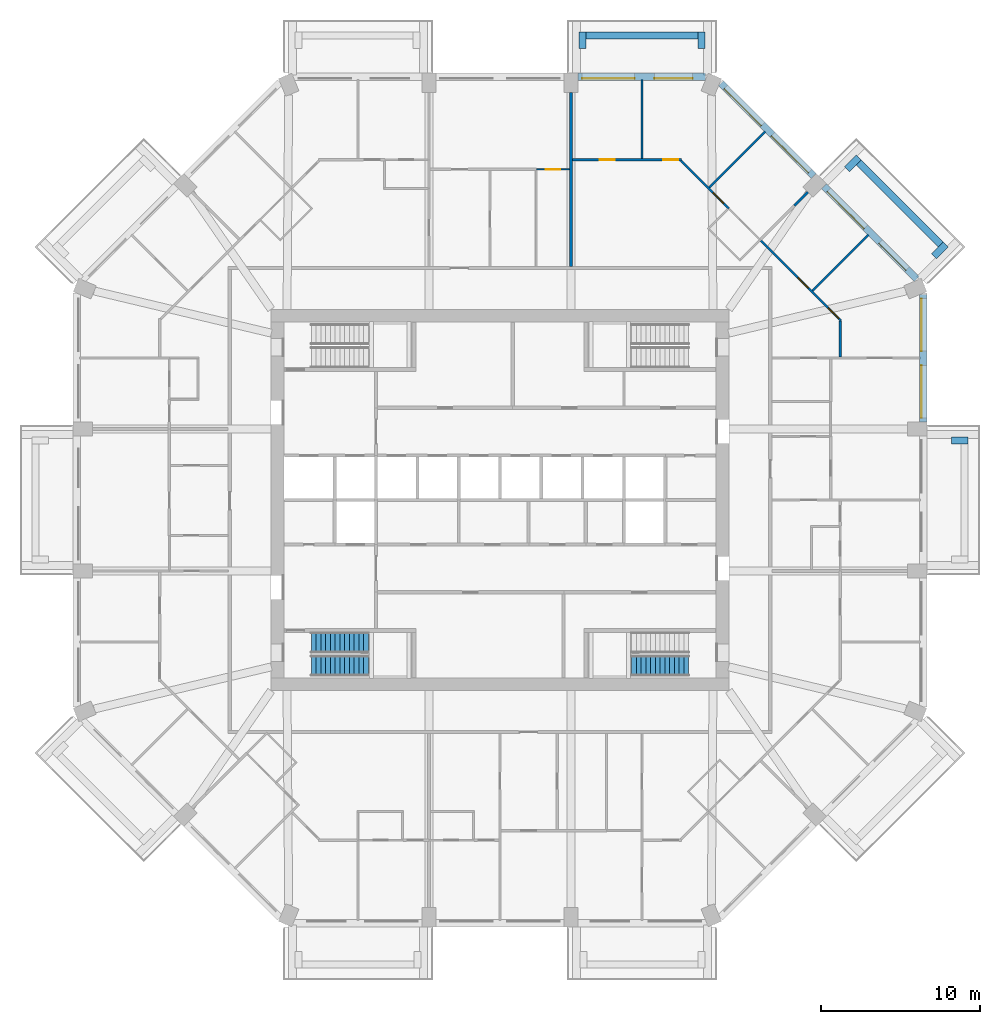
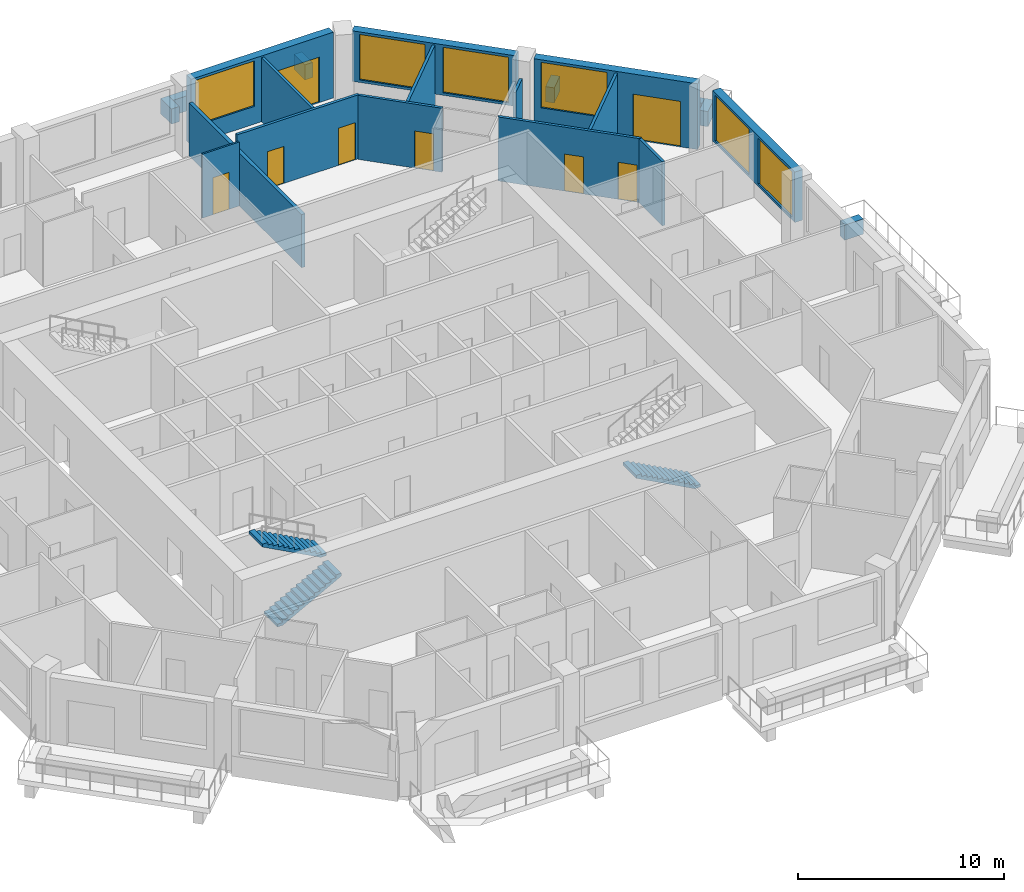
# One storey, part 10 of 13: 21 walls, 8 doors, 6 windows, 3 stair flights, 14 openings, 2 elements without a shape of their own.
"""IFC4 building model written with IfcOpenShell, lengths in metres."""

from ifc_helpers import new_model, si_unit, direction, frame, frame_2d, origin, place, context, subcontext, project, spatial, polyline, rectangle, outline, extrude, material, layer, layer_set, type_object, element, fill, aggregate, save


model = new_model("IFC4")

# Units and contexts
model_context = context("Model", 3, precision=1e-05, world=origin(), true_north=direction((0.0, 1.0)))
body_context = subcontext(model_context, "Body", "Model", "MODEL_VIEW")
ifc_project = project(units=[si_unit("LENGTHUNIT", "METRE"), si_unit("AREAUNIT", "SQUARE_METRE"), si_unit("VOLUMEUNIT", "CUBIC_METRE"), si_unit("PLANEANGLEUNIT", "RADIAN"), si_unit("MASSUNIT", "GRAM", prefix="KILO")], contexts=[model_context])

# Site, building, storey
site_placement = place(None, origin())
site = spatial("IfcSite", under=ifc_project, at=site_placement, CompositionType="ELEMENT")
building_placement = place(site_placement, origin())
building = spatial("IfcBuilding", under=site, at=building_placement, Name="Msitu Wima Residences", CompositionType="ELEMENT")
storey_placement = place(building_placement, frame((0.0, 0.0, 148.5)))
storey = spatial("IfcBuildingStorey", under=building, at=storey_placement, Name="L34", CompositionType="ELEMENT", Elevation=148.5)

# Walls
ifc_material_1 = material(Name="Facing brick")
ifc_layer_1 = layer(ifc_material_1, 0.06494140625, Name="Facing brick")
ifc_material_2 = material(Name="Concrete C40/50", Category="concrete")
ifc_layer_2 = layer(ifc_material_2, 0.156005859375, Name="Concrete C40/50")
ifc_material_3 = material(Name="Waterproofing membrane")
ifc_layer_3 = layer(ifc_material_3, 0.00390625, Name="Waterproofing membrane")
ifc_material_4 = material(Name="Planting soil and planting")
ifc_layer_4 = layer(ifc_material_4, 0.22509765625, Name="Planting soil and planting")
ifc_layer_set_1 = layer_set([ifc_layer_1, ifc_layer_2, ifc_layer_3, ifc_layer_4], Name="Concrete C40/50")
wall_type_1 = type_object("IfcWallType", Name="Balcony planter PLANTER PL450", PredefinedType="USERDEFINED", material=ifc_layer_set_1)
wall_1_placement = place(storey_placement, frame((28.39990234375, 3.74365234375, 0.0), z_axis=(0.0, 0.0, 1.0), x_axis=(1.0, 0.0, 0.0)))
element("IfcWall", 1, at=wall_1_placement, inside=storey, type_object=wall_type_1, Name="Balcony planter E1 L34", ObjectType="PLANTER", PredefinedType="USERDEFINED", context=body_context, shape_type="SweptSolid", body=[
    extrude(rectangle(XDim=1.050048828125, YDim=0.449951171875, at=frame_2d((0.52490234375, 0.0))), origin(), (0.0, 0.0, 1.0), 0.89990234375),
])
wall_2_placement = place(storey_placement, frame((27.725830078125, 16.0751953125, 0.0), z_axis=(0.0, 0.0, 1.0), x_axis=(-0.707106781187, 0.707106781187, 0.0)))
element("IfcWall", 2, at=wall_2_placement, inside=storey, type_object=wall_type_1, Name="Balcony planter NE0 L34", ObjectType="PLANTER", PredefinedType="USERDEFINED", context=body_context, shape_type="SweptSolid", body=[
    extrude(rectangle(XDim=7.288330078125, YDim=0.449951171875, at=frame_2d((3.64404296875, 0.0))), origin(), (0.0, 0.0, 1.0), 0.89990234375),
])
for number, where, z_axis, x_axis, name in (
    (3, (27.301513671875, 15.332763671875, 0.0), (0.0, 0.0, 1.0), (0.707106781187, 0.707106781187, 0.0), "Balcony planter NE0 L34"),
    (4, (21.829833984375, 20.804443359375, 0.0), (0.0, 0.0, 1.0), (0.707106781187, 0.707106781187, 0.0), "Balcony planter NE0 L34"),
):
    element("IfcWall", number, at=place(storey_placement, frame(where, z_axis=z_axis, x_axis=x_axis)), inside=storey, type_object=wall_type_1, Name=name, ObjectType="PLANTER", PredefinedType="USERDEFINED", context=body_context, shape_type="SweptSolid", body=[
        extrude(rectangle(XDim=1.050048828125, YDim=0.449951171875, at=frame_2d((0.52490234375, 0.0))), origin(), (0.0, 0.0, 1.0), 0.89990234375),
    ])
wall_3_placement = place(storey_placement, frame((12.455810546875, 29.22509765625, 0.0), z_axis=(0.0, 0.0, 1.0), x_axis=(-1.0, 0.0, 0.0)))
element("IfcWall", 5, at=wall_3_placement, inside=storey, type_object=wall_type_1, Name="Balcony planter N0 L34", ObjectType="PLANTER", PredefinedType="USERDEFINED", context=body_context, shape_type="SweptSolid", body=[
    extrude(rectangle(XDim=7.037109375, YDim=0.449951171875, at=frame_2d((3.5185546875, 0.0))), origin(), (0.0, 0.0, 1.0), 0.89990234375),
])
for number, where, z_axis, x_axis, name in (
    (6, (12.680908203125, 28.39990234375, 0.0), (0.0, 0.0, 1.0), (0.0, 1.0, 0.0), "Balcony planter N0 L34"),
    (7, (5.193603515625, 28.39990234375, 0.0), (0.0, 0.0, 1.0), (0.0, 1.0, 0.0), "Balcony planter N0 L34"),
):
    element("IfcWall", number, at=place(storey_placement, frame(where, z_axis=z_axis, x_axis=x_axis)), inside=storey, type_object=wall_type_1, Name=name, ObjectType="PLANTER", PredefinedType="USERDEFINED", context=body_context, shape_type="SweptSolid", body=[
        extrude(rectangle(XDim=1.050048828125, YDim=0.449951171875, at=frame_2d((0.52490234375, 0.0))), origin(), (0.0, 0.0, 1.0), 0.89990234375),
    ])

# Wall, openings, windows
ifc_material_5 = material(Name="Brick (red buff mix)", Category="masonry")
ifc_layer_5 = layer(ifc_material_5, 0.449951171875)
ifc_layer_set_2 = layer_set([ifc_layer_5], Name="Brick (red buff mix)")
wall_type_2 = type_object("IfcWallType", Name="Brick infill wall BW450", PredefinedType="SOLIDWALL", material=ifc_layer_set_2)
wall_4_placement = place(storey_placement, frame((26.625, 4.918701171875, 0.89990234375), z_axis=(0.0, 0.0, 1.0), x_axis=(0.0, 1.0, 0.0)))
wall_4 = element("IfcWall", 8, at=wall_4_placement, inside=storey, type_object=wall_type_2, Name="Brick infill wall L34 E2", PredefinedType="SOLIDWALL", context=body_context, shape_type="SweptSolid", body=[
    extrude(rectangle(XDim=8.0, YDim=0.449951171875, at=frame_2d((4.0, 0.0))), origin(), (0.0, 0.0, 1.0), 3.0),
])
opening_1_placement = place(wall_4_placement, frame((0.25, 0.0, 0.14990234375)))
opening_1 = element("IfcOpeningElement", 9, at=opening_1_placement, cuts=wall_4, Name="Opening W34-35.004", PredefinedType="OPENING", context=body_context, shape_type="SweptSolid", body=[
    extrude(rectangle(XDim=3.300048828125, YDim=2.699951171875, at=frame_2d((1.64990234375, 1.35009765625))), frame((0.0, 0.23486328125, 0.0), z_axis=(0.0, -1.0, 0.0), x_axis=(1.0, 0.0, 0.0)), (0.0, 0.0, 1.0), 0.469970703125),
])
opening_2_placement = place(wall_4_placement, frame((4.4501953125, 0.0, 0.14990234375)))
opening_2 = element("IfcOpeningElement", 10, at=opening_2_placement, cuts=wall_4, Name="Opening W34-35.005", PredefinedType="OPENING", context=body_context, shape_type="SweptSolid", body=[
    extrude(rectangle(XDim=3.300048828125, YDim=2.699951171875, at=frame_2d((1.64990234375, 1.35009765625))), frame((0.0, 0.23486328125, 0.0), z_axis=(0.0, -1.0, 0.0), x_axis=(1.0, 0.0, 0.0)), (0.0, 0.0, 1.0), 0.469970703125),
])
ifc_material_6 = material(Name="Anodised aluminium, bronze finish, clear low-emissivity double glazing", Category="aluminium")
window_type = type_object("IfcWindowType", Name="Window W3300x2700", PartitioningType="DOUBLE_PANEL_VERTICAL", PredefinedType="WINDOW", material=ifc_material_6)
window_1_placement = place(opening_1_placement, origin())
window_1 = element("IfcWindow", 11, at=window_1_placement, inside=storey, type_object=window_type, Name="Window L34 E2.1", OverallHeight=2.699951171875, OverallWidth=3.300048828125, PartitioningType="SINGLE_PANEL", PredefinedType="WINDOW", context=body_context, shape_type="SweptSolid", body=[
    extrude(rectangle(XDim=3.300048828125, YDim=2.699951171875, at=frame_2d((1.64990234375, 1.35009765625))), frame((0.0, 0.135009765625, 0.0), z_axis=(0.0, -1.0, 0.0), x_axis=(1.0, 0.0, 0.0)), (0.0, 0.0, 1.0), 0.06005859375),
])
fill(opening_1, window_1)
window_2_placement = place(opening_2_placement, origin())
window_2 = element("IfcWindow", 12, at=window_2_placement, inside=storey, type_object=window_type, Name="Window L34 E2.2", OverallHeight=2.699951171875, OverallWidth=3.300048828125, PartitioningType="SINGLE_PANEL", PredefinedType="WINDOW", context=body_context, shape_type="SweptSolid", body=[
    extrude(rectangle(XDim=3.300048828125, YDim=2.699951171875, at=frame_2d((1.64990234375, 1.35009765625))), frame((0.0, 0.135009765625, 0.0), z_axis=(0.0, -1.0, 0.0), x_axis=(1.0, 0.0, 0.0)), (0.0, 0.0, 1.0), 0.06005859375),
])
fill(opening_2, window_2)

# Wall, openings, door, window
wall_5_placement = place(storey_placement, frame((26.214599609375, 13.909423828125, 0.0), z_axis=(0.0, 0.0, 1.0), x_axis=(-0.707106781187, 0.707106781187, 0.0)))
wall_5 = element("IfcWall", 13, at=wall_5_placement, inside=storey, type_object=wall_type_2, Name="Brick infill wall L34 NE0", PredefinedType="SOLIDWALL", context=body_context, shape_type="SweptSolid", body=[
    extrude(rectangle(XDim=8.251220703125, YDim=0.449951171875, at=frame_2d((4.12548828125, 0.0))), origin(), (0.0, 0.0, 1.0), 3.89990234375),
])
opening_3_placement = place(wall_5_placement, frame((0.86279296875, 0.0, 0.0)))
opening_3 = element("IfcOpeningElement", 14, at=opening_3_placement, cuts=wall_5, Name="Opening D34-35.004", PredefinedType="OPENING", context=body_context, shape_type="SweptSolid", body=[
    extrude(rectangle(XDim=2.39990234375, YDim=2.699951171875, at=frame_2d((1.199951171875, 1.35009765625))), frame((0.0, 0.23486328125, 0.0), z_axis=(0.0, -1.0, 0.0), x_axis=(1.0, 0.0, 0.0)), (0.0, 0.0, 1.0), 0.469970703125),
])
opening_4_placement = place(wall_5_placement, frame((4.57568359375, 0.0, 1.050048828125)))
opening_4 = element("IfcOpeningElement", 15, at=opening_4_placement, cuts=wall_5, Name="Opening W34-35.010", PredefinedType="OPENING", context=body_context, shape_type="SweptSolid", body=[
    extrude(rectangle(XDim=3.300048828125, YDim=2.699951171875, at=frame_2d((1.64990234375, 1.35009765625))), frame((0.0, 0.23486328125, 0.0), z_axis=(0.0, -1.0, 0.0), x_axis=(1.0, 0.0, 0.0)), (0.0, 0.0, 1.0), 0.469970703125),
])
door_type_1 = type_object("IfcDoorType", Name="Balcony door D2400x2700", OperationType="SLIDING_TO_LEFT", PredefinedType="DOOR", material=ifc_material_6)
door_1_placement = place(opening_3_placement, origin())
door_1 = element("IfcDoor", 16, at=door_1_placement, inside=storey, type_object=door_type_1, Name="Balcony door L34 NE0", OperationType="SINGLE_SWING_LEFT", OverallHeight=2.699951171875, OverallWidth=2.39990234375, PredefinedType="DOOR", context=body_context, shape_type="SweptSolid", body=[
    extrude(rectangle(XDim=2.39990234375, YDim=2.699951171875, at=frame_2d((1.199951171875, 1.35009765625))), frame((0.0, 0.1298828125, 0.0), z_axis=(0.0, -1.0, 0.0), x_axis=(1.0, 0.0, 0.0)), (0.0, 0.0, 1.0), 0.050048828125),
])
fill(opening_3, door_1)
window_3_placement = place(opening_4_placement, origin())
window_3 = element("IfcWindow", 17, at=window_3_placement, inside=storey, type_object=window_type, Name="Window L34 NE0.2", OverallHeight=2.699951171875, OverallWidth=3.300048828125, PartitioningType="SINGLE_PANEL", PredefinedType="WINDOW", context=body_context, shape_type="SweptSolid", body=[
    extrude(rectangle(XDim=3.300048828125, YDim=2.699951171875, at=frame_2d((1.64990234375, 1.35009765625))), frame((0.0, 0.135009765625, 0.0), z_axis=(0.0, -1.0, 0.0), x_axis=(1.0, 0.0, 0.0)), (0.0, 0.0, 1.0), 0.06005859375),
])
fill(opening_4, window_3)

# Wall, openings, windows
wall_6_placement = place(storey_placement, frame((19.743896484375, 20.380126953125, 0.89990234375), z_axis=(0.0, 0.0, 1.0), x_axis=(-0.707106781187, 0.707106781187, 0.0)))
wall_6 = element("IfcWall", 18, at=wall_6_placement, inside=storey, type_object=wall_type_2, Name="Brick infill wall L34 NE1", PredefinedType="SOLIDWALL", context=body_context, shape_type="SweptSolid", body=[
    extrude(rectangle(XDim=8.251220703125, YDim=0.449951171875, at=frame_2d((4.12548828125, 0.0))), origin(), (0.0, 0.0, 1.0), 3.0),
])
opening_5_placement = place(wall_6_placement, frame((0.37548828125, 0.0, 0.14990234375)))
opening_5 = element("IfcOpeningElement", 19, at=opening_5_placement, cuts=wall_6, Name="Opening W34-35.011", PredefinedType="OPENING", context=body_context, shape_type="SweptSolid", body=[
    extrude(rectangle(XDim=3.300048828125, YDim=2.699951171875, at=frame_2d((1.64990234375, 1.35009765625))), frame((0.0, 0.23486328125, 0.0), z_axis=(0.0, -1.0, 0.0), x_axis=(1.0, 0.0, 0.0)), (0.0, 0.0, 1.0), 0.469970703125),
])
opening_6_placement = place(wall_6_placement, frame((4.57568359375, 0.0, 0.14990234375)))
opening_6 = element("IfcOpeningElement", 20, at=opening_6_placement, cuts=wall_6, Name="Opening W34-35.012", PredefinedType="OPENING", context=body_context, shape_type="SweptSolid", body=[
    extrude(rectangle(XDim=3.300048828125, YDim=2.699951171875, at=frame_2d((1.64990234375, 1.35009765625))), frame((0.0, 0.23486328125, 0.0), z_axis=(0.0, -1.0, 0.0), x_axis=(1.0, 0.0, 0.0)), (0.0, 0.0, 1.0), 0.469970703125),
])
window_4_placement = place(opening_5_placement, origin())
window_4 = element("IfcWindow", 21, at=window_4_placement, inside=storey, type_object=window_type, Name="Window L34 NE1.1", OverallHeight=2.699951171875, OverallWidth=3.300048828125, PartitioningType="SINGLE_PANEL", PredefinedType="WINDOW", context=body_context, shape_type="SweptSolid", body=[
    extrude(rectangle(XDim=3.300048828125, YDim=2.699951171875, at=frame_2d((1.64990234375, 1.35009765625))), frame((0.0, 0.135009765625, 0.0), z_axis=(0.0, -1.0, 0.0), x_axis=(1.0, 0.0, 0.0)), (0.0, 0.0, 1.0), 0.06005859375),
])
fill(opening_5, window_4)
window_5_placement = place(opening_6_placement, origin())
window_5 = element("IfcWindow", 22, at=window_5_placement, inside=storey, type_object=window_type, Name="Window L34 NE1.2", OverallHeight=2.699951171875, OverallWidth=3.300048828125, PartitioningType="SINGLE_PANEL", PredefinedType="WINDOW", context=body_context, shape_type="SweptSolid", body=[
    extrude(rectangle(XDim=3.300048828125, YDim=2.699951171875, at=frame_2d((1.64990234375, 1.35009765625))), frame((0.0, 0.135009765625, 0.0), z_axis=(0.0, -1.0, 0.0), x_axis=(1.0, 0.0, 0.0)), (0.0, 0.0, 1.0), 0.06005859375),
])
fill(opening_6, window_5)

# Wall, openings, door, window
wall_7_placement = place(storey_placement, frame((12.918701171875, 26.625, 0.0), z_axis=(0.0, 0.0, 1.0), x_axis=(-1.0, 0.0, 0.0)))
wall_7 = element("IfcWall", 23, at=wall_7_placement, inside=storey, type_object=wall_type_2, Name="Brick infill wall L34 N0", PredefinedType="SOLIDWALL", context=body_context, shape_type="SweptSolid", body=[
    extrude(rectangle(XDim=8.0, YDim=0.449951171875, at=frame_2d((4.0, 0.0))), origin(), (0.0, 0.0, 1.0), 3.89990234375),
])
opening_7_placement = place(wall_7_placement, frame((0.800048828125, 0.0, 0.0)))
opening_7 = element("IfcOpeningElement", 24, at=opening_7_placement, cuts=wall_7, Name="Opening D34-35.002", PredefinedType="OPENING", context=body_context, shape_type="SweptSolid", body=[
    extrude(rectangle(XDim=2.39990234375, YDim=2.699951171875, at=frame_2d((1.199951171875, 1.35009765625))), frame((0.0, 0.23486328125, 0.0), z_axis=(0.0, -1.0, 0.0), x_axis=(1.0, 0.0, 0.0)), (0.0, 0.0, 1.0), 0.469970703125),
])
opening_8_placement = place(wall_7_placement, frame((4.4501953125, 0.0, 1.050048828125)))
opening_8 = element("IfcOpeningElement", 25, at=opening_8_placement, cuts=wall_7, Name="Opening W34-35.006", PredefinedType="OPENING", context=body_context, shape_type="SweptSolid", body=[
    extrude(rectangle(XDim=3.300048828125, YDim=2.699951171875, at=frame_2d((1.64990234375, 1.35009765625))), frame((0.0, 0.23486328125, 0.0), z_axis=(0.0, -1.0, 0.0), x_axis=(1.0, 0.0, 0.0)), (0.0, 0.0, 1.0), 0.469970703125),
])
door_2_placement = place(opening_7_placement, origin())
door_2 = element("IfcDoor", 26, at=door_2_placement, inside=storey, type_object=door_type_1, Name="Balcony door L34 N0", OperationType="SINGLE_SWING_LEFT", OverallHeight=2.699951171875, OverallWidth=2.39990234375, PredefinedType="DOOR", context=body_context, shape_type="SweptSolid", body=[
    extrude(rectangle(XDim=2.39990234375, YDim=2.699951171875, at=frame_2d((1.199951171875, 1.35009765625))), frame((0.0, 0.1298828125, 0.0), z_axis=(0.0, -1.0, 0.0), x_axis=(1.0, 0.0, 0.0)), (0.0, 0.0, 1.0), 0.050048828125),
])
fill(opening_7, door_2)
window_6_placement = place(opening_8_placement, origin())
window_6 = element("IfcWindow", 27, at=window_6_placement, inside=storey, type_object=window_type, Name="Window L34 N0.2", OverallHeight=2.699951171875, OverallWidth=3.300048828125, PartitioningType="SINGLE_PANEL", PredefinedType="WINDOW", context=body_context, shape_type="SweptSolid", body=[
    extrude(rectangle(XDim=3.300048828125, YDim=2.699951171875, at=frame_2d((1.64990234375, 1.35009765625))), frame((0.0, 0.135009765625, 0.0), z_axis=(0.0, -1.0, 0.0), x_axis=(1.0, 0.0, 0.0)), (0.0, 0.0, 1.0), 0.06005859375),
])
fill(opening_8, window_6)

# Wall, openings, doors
ifc_material_7 = material(Name="Plaster")
ifc_layer_6 = layer(ifc_material_7, 0.011962890625, Name="Plaster")
ifc_material_8 = material(Name="Concrete blockwork", Category="masonry")
ifc_layer_7 = layer(ifc_material_8, 0.1259765625, Name="Concrete blockwork")
ifc_layer_8 = layer(ifc_material_7, 0.011962890625, Name="Plaster")
ifc_layer_set_3 = layer_set([ifc_layer_6, ifc_layer_7, ifc_layer_8], Name="Concrete blockwork")
wall_type_3 = type_object("IfcWallType", Name="Partition PW150", PredefinedType="PARTITIONING", material=ifc_layer_set_3)
wall_8_placement = place(storey_placement, frame((4.568603515625, 21.39990234375, 0.0), z_axis=(0.0, 0.0, 1.0), x_axis=(1.0, 0.0, 0.0)))
wall_8 = element("IfcWall", 28, at=wall_8_placement, inside=storey, type_object=wall_type_3, Name="Partition", PredefinedType="PARTITIONING", context=body_context, shape_type="SweptSolid", body=[
    extrude(rectangle(XDim=6.84130859375, YDim=0.14990234375, at=frame_2d((3.420654296875, 0.0))), origin(), (0.0, 0.0, 1.0), 3.798095703125),
])
opening_9_placement = place(wall_8_placement, frame((1.699951171875, 0.0, 0.0)))
opening_9 = element("IfcOpeningElement", 29, at=opening_9_placement, cuts=wall_8, Name="Opening D34-35.088", PredefinedType="OPENING", context=body_context, shape_type="SweptSolid", body=[
    extrude(rectangle(XDim=0.949951171875, YDim=2.199951171875, at=frame_2d((0.47509765625, 1.10009765625))), frame((0.0, 0.0849609375, 0.0), z_axis=(0.0, -1.0, 0.0), x_axis=(1.0, 0.0, 0.0)), (0.0, 0.0, 1.0), 0.169921875),
])
opening_10_placement = place(wall_8_placement, frame((5.699951171875, 0.0, 0.0)))
opening_10 = element("IfcOpeningElement", 30, at=opening_10_placement, cuts=wall_8, Name="Opening D34-35.043", PredefinedType="OPENING", context=body_context, shape_type="SweptSolid", body=[
    extrude(rectangle(XDim=0.949951171875, YDim=2.199951171875, at=frame_2d((0.47509765625, 1.10009765625))), frame((0.0, 0.0849609375, 0.0), z_axis=(0.0, -1.0, 0.0), x_axis=(1.0, 0.0, 0.0)), (0.0, 0.0, 1.0), 0.169921875),
])
ifc_material_9 = material(Name="Timber flush door", Category="wood")
door_type_2 = type_object("IfcDoorType", Name="Room door D12 950x2200", OperationType="SINGLE_SWING_LEFT", PredefinedType="DOOR", material=ifc_material_9)
door_3_placement = place(opening_9_placement, origin())
door_3 = element("IfcDoor", 31, at=door_3_placement, inside=storey, type_object=door_type_2, Name="Room door", OperationType="SINGLE_SWING_RIGHT", OverallHeight=2.199951171875, OverallWidth=0.949951171875, PredefinedType="DOOR", context=body_context, shape_type="SweptSolid", body=[
    extrude(rectangle(XDim=0.949951171875, YDim=2.199951171875, at=frame_2d((0.47509765625, 1.10009765625))), frame((0.0, 0.02490234375, 0.0), z_axis=(0.0, -1.0, 0.0), x_axis=(1.0, 0.0, 0.0)), (0.0, 0.0, 1.0), 0.050048828125),
])
fill(opening_9, door_3)
door_4_placement = place(opening_10_placement, origin())
door_4 = element("IfcDoor", 32, at=door_4_placement, inside=storey, type_object=door_type_2, Name="Room door", OperationType="SINGLE_SWING_LEFT", OverallHeight=2.199951171875, OverallWidth=0.949951171875, PredefinedType="DOOR", context=body_context, shape_type="SweptSolid", body=[
    extrude(rectangle(XDim=0.949951171875, YDim=2.199951171875, at=frame_2d((0.47509765625, 1.10009765625))), frame((0.0, 0.02490234375, 0.0), z_axis=(0.0, -1.0, 0.0), x_axis=(1.0, 0.0, 0.0)), (0.0, 0.0, 1.0), 0.050048828125),
])
fill(opening_10, door_4)

# Wall
wall_9_placement = place(storey_placement, frame((8.937255859375, 21.47509765625, 0.0), z_axis=(0.0, 0.0, 1.0), x_axis=(0.0, 1.0, 0.0)))
element("IfcWall", 33, at=wall_9_placement, inside=storey, type_object=wall_type_3, Name="Partition", PredefinedType="PARTITIONING", context=body_context, shape_type="SweptSolid", body=[
    extrude(rectangle(XDim=4.97998046875, YDim=0.14990234375, at=frame_2d((2.489990234375, 0.0))), origin(), (0.0, 0.0, 1.0), 3.798095703125),
])

# Wall, opening, door
wall_10_placement = place(storey_placement, frame((11.387939453125, 21.346923828125, 0.0), z_axis=(0.0, 0.0, 1.0), x_axis=(0.707106781187, -0.707106781187, 0.0)))
wall_10 = element("IfcWall", 34, at=wall_10_placement, inside=storey, type_object=wall_type_3, Name="Partition", PredefinedType="PARTITIONING", context=body_context, shape_type="SweptSolid", body=[
    extrude(rectangle(XDim=4.241943359375, YDim=0.14990234375, at=frame_2d((2.12109375, 0.0))), origin(), (0.0, 0.0, 1.0), 3.798095703125),
])
opening_11_placement = place(wall_10_placement, frame((2.85009765625, 0.0, 0.0)))
opening_11 = element("IfcOpeningElement", 35, at=opening_11_placement, cuts=wall_10, Name="Opening D34-35.089", PredefinedType="OPENING", context=body_context, shape_type="SweptSolid", body=[
    extrude(rectangle(XDim=0.949951171875, YDim=2.199951171875, at=frame_2d((0.47509765625, 1.10009765625))), frame((0.0, 0.0849609375, 0.0), z_axis=(0.0, -1.0, 0.0), x_axis=(1.0, 0.0, 0.0)), (0.0, 0.0, 1.0), 0.169921875),
])
door_5_placement = place(opening_11_placement, origin())
door_5 = element("IfcDoor", 36, at=door_5_placement, inside=storey, type_object=door_type_2, Name="Room door", OperationType="SINGLE_SWING_LEFT", OverallHeight=2.199951171875, OverallWidth=0.949951171875, PredefinedType="DOOR", context=body_context, shape_type="SweptSolid", body=[
    extrude(rectangle(XDim=0.949951171875, YDim=2.199951171875, at=frame_2d((0.47509765625, 1.10009765625))), frame((0.0, 0.02490234375, 0.0), z_axis=(0.0, -1.0, 0.0), x_axis=(1.0, 0.0, 0.0)), (0.0, 0.0, 1.0), 0.050048828125),
])
fill(opening_11, door_5)

# Walls
wall_11_placement = place(storey_placement, frame((13.171875, 19.6689453125, 0.0), z_axis=(0.0, 0.0, 1.0), x_axis=(0.707106781187, 0.707106781187, 0.0)))
element("IfcWall", 37, at=wall_11_placement, inside=storey, type_object=wall_type_3, Name="Partition", PredefinedType="PARTITIONING", context=body_context, shape_type="SweptSolid", body=[
    extrude(rectangle(XDim=4.980224609375, YDim=0.14990234375, at=frame_2d((2.490234375, 0.0))), origin(), (0.0, 0.0, 1.0), 3.798095703125),
])
wall_12_placement = place(storey_placement, frame((18.517578125, 18.517578125, 0.0), z_axis=(0.0, 0.0, 1.0), x_axis=(0.707106781187, 0.707106781187, 0.0)))
element("IfcWall", 38, at=wall_12_placement, inside=storey, type_object=wall_type_3, Name="Partition", PredefinedType="PARTITIONING", context=body_context, shape_type="SweptSolid", body=[
    extrude(rectangle(XDim=1.209228515625, YDim=0.14990234375, at=frame_2d((0.6044921875, 0.0))), origin(), (0.0, 0.0, 1.0), 3.14990234375),
])

# Wall, openings, doors
wall_13_placement = place(storey_placement, frame((16.367431640625, 16.367431640625, 0.0), z_axis=(0.0, 0.0, 1.0), x_axis=(0.707106781187, -0.707106781187, 0.0)))
wall_13 = element("IfcWall", 39, at=wall_13_placement, inside=storey, type_object=wall_type_3, Name="Partition", PredefinedType="PARTITIONING", context=body_context, shape_type="SweptSolid", body=[
    extrude(rectangle(XDim=7.192138671875, YDim=0.14990234375, at=frame_2d((3.59619140625, 0.0))), origin(), (0.0, 0.0, 1.0), 3.798095703125),
])
opening_12_placement = place(wall_13_placement, frame((6.050048828125, 0.0, 0.0)))
opening_12 = element("IfcOpeningElement", 40, at=opening_12_placement, cuts=wall_13, Name="Opening D34-35.087", PredefinedType="OPENING", context=body_context, shape_type="SweptSolid", body=[
    extrude(rectangle(XDim=0.949951171875, YDim=2.199951171875, at=frame_2d((0.47509765625, 1.10009765625))), frame((0.0, 0.0849609375, 0.0), z_axis=(0.0, -1.0, 0.0), x_axis=(1.0, 0.0, 0.0)), (0.0, 0.0, 1.0), 0.169921875),
])
opening_13_placement = place(wall_13_placement, frame((3.35009765625, 0.0, 0.0)))
opening_13 = element("IfcOpeningElement", 41, at=opening_13_placement, cuts=wall_13, Name="Opening D34-35.041", PredefinedType="OPENING", context=body_context, shape_type="SweptSolid", body=[
    extrude(rectangle(XDim=0.949951171875, YDim=2.199951171875, at=frame_2d((0.47509765625, 1.10009765625))), frame((0.0, 0.0849609375, 0.0), z_axis=(0.0, -1.0, 0.0), x_axis=(1.0, 0.0, 0.0)), (0.0, 0.0, 1.0), 0.169921875),
])
door_6_placement = place(opening_12_placement, origin())
door_6 = element("IfcDoor", 42, at=door_6_placement, inside=storey, type_object=door_type_2, Name="Room door", OperationType="SINGLE_SWING_LEFT", OverallHeight=2.199951171875, OverallWidth=0.949951171875, PredefinedType="DOOR", context=body_context, shape_type="SweptSolid", body=[
    extrude(rectangle(XDim=0.949951171875, YDim=2.199951171875, at=frame_2d((0.47509765625, 1.10009765625))), frame((0.0, 0.02490234375, 0.0), z_axis=(0.0, -1.0, 0.0), x_axis=(1.0, 0.0, 0.0)), (0.0, 0.0, 1.0), 0.050048828125),
])
fill(opening_12, door_6)
door_7_placement = place(opening_13_placement, origin())
door_7 = element("IfcDoor", 43, at=door_7_placement, inside=storey, type_object=door_type_2, Name="Room door", OperationType="SINGLE_SWING_RIGHT", OverallHeight=2.199951171875, OverallWidth=0.949951171875, PredefinedType="DOOR", context=body_context, shape_type="SweptSolid", body=[
    extrude(rectangle(XDim=0.949951171875, YDim=2.199951171875, at=frame_2d((0.47509765625, 1.10009765625))), frame((0.0, 0.02490234375, 0.0), z_axis=(0.0, -1.0, 0.0), x_axis=(1.0, 0.0, 0.0)), (0.0, 0.0, 1.0), 0.050048828125),
])
fill(opening_13, door_7)

# Walls
wall_14_placement = place(storey_placement, frame((19.6689453125, 13.171875, 0.0), z_axis=(0.0, 0.0, 1.0), x_axis=(0.707106781187, 0.707106781187, 0.0)))
element("IfcWall", 44, at=wall_14_placement, inside=storey, type_object=wall_type_3, Name="Partition", PredefinedType="PARTITIONING", context=body_context, shape_type="SweptSolid", body=[
    extrude(rectangle(XDim=4.980224609375, YDim=0.14990234375, at=frame_2d((2.490234375, 0.0))), origin(), (0.0, 0.0, 1.0), 3.798095703125),
])
wall_15_placement = place(storey_placement, frame((21.39990234375, 9.01220703125, 0.0), z_axis=(0.0, 0.0, 1.0), x_axis=(0.0, 1.0, 0.0)))
element("IfcWall", 45, at=wall_15_placement, inside=storey, type_object=wall_type_3, Name="Partition", PredefinedType="PARTITIONING", context=body_context, shape_type="SweptSolid", body=[
    extrude(rectangle(XDim=2.24755859375, YDim=0.14990234375, at=frame_2d((1.123779296875, 0.0))), origin(), (0.0, 0.0, 1.0), 3.798095703125),
])
ifc_layer_9 = layer(ifc_material_7, 0.011962890625, Name="Plaster")
ifc_material_10 = material(Name="Dense concrete blockwork", Category="masonry")
ifc_layer_10 = layer(ifc_material_10, 0.176025390625, Name="Dense concrete blockwork")
ifc_layer_11 = layer(ifc_material_7, 0.011962890625, Name="Plaster")
ifc_layer_set_4 = layer_set([ifc_layer_9, ifc_layer_10, ifc_layer_11], Name="Dense concrete blockwork")
wall_type_4 = type_object("IfcWallType", Name="Party wall PW200", PredefinedType="PARTITIONING", material=ifc_layer_set_4)
wall_16_placement = place(storey_placement, frame((4.46875, 14.699951171875, 0.0), z_axis=(0.0, 0.0, 1.0), x_axis=(0.0, 1.0, 0.0)))
element("IfcWall", 46, at=wall_16_placement, inside=storey, type_object=wall_type_4, Name="Party wall", PredefinedType="PARTITIONING", context=body_context, shape_type="SweptSolid", body=[
    extrude(rectangle(XDim=10.949951171875, YDim=0.199951171875, at=frame_2d((5.47509765625, 0.0))), origin(), (0.0, 0.0, 1.0), 3.14990234375),
])

# Wall, opening, door
ifc_material_11 = material(Name="Ceramic tiles")
ifc_layer_12 = layer(ifc_material_11, 0.008056640625, Name="Ceramic tiles")
ifc_material_12 = material(Name="Moisture-resistant board")
ifc_layer_13 = layer(ifc_material_12, 0.012451171875, Name="Moisture-resistant board")
ifc_material_13 = material(Name="Light-gauge stud framing with mineral wool")
ifc_layer_14 = layer(ifc_material_13, 0.06689453125, Name="Light-gauge stud framing with mineral wool")
ifc_layer_15 = layer(ifc_material_12, 0.012451171875, Name="Moisture-resistant board")
ifc_layer_set_5 = layer_set([ifc_layer_12, ifc_layer_13, ifc_layer_14, ifc_layer_15], Name="Light-gauge stud framing with mineral wool")
wall_type_5 = type_object("IfcWallType", Name="Wet wall PW100", PredefinedType="PARTITIONING", material=ifc_layer_set_5)
wall_17_placement = place(storey_placement, frame((2.28857421875, 20.800048828125, 0.0), z_axis=(0.0, 0.0, 1.0), x_axis=(1.0, 0.0, 0.0)))
wall_17 = element("IfcWall", 47, at=wall_17_placement, inside=storey, type_object=wall_type_5, Name="Wet wall", PredefinedType="PARTITIONING", context=body_context, shape_type="SweptSolid", body=[
    extrude(rectangle(XDim=2.080078125, YDim=0.10009765625, at=frame_2d((1.0400390625, 0.0))), origin(), (0.0, 0.0, 1.0), 3.798095703125),
])
opening_14_placement = place(wall_17_placement, frame((0.60009765625, 0.0, 0.0)))
opening_14 = element("IfcOpeningElement", 48, at=opening_14_placement, cuts=wall_17, Name="Opening D34-35.057", PredefinedType="OPENING", context=body_context, shape_type="SweptSolid", body=[
    extrude(rectangle(XDim=0.89990234375, YDim=2.199951171875, at=frame_2d((0.449951171875, 1.10009765625))), frame((0.0, 0.06005859375, 0.0), z_axis=(0.0, -1.0, 0.0), x_axis=(1.0, 0.0, 0.0)), (0.0, 0.0, 1.0), 0.1201171875),
])
ifc_material_14 = material(Name="Timber flush door, moisture resistant", Category="wood")
door_type_3 = type_object("IfcDoorType", Name="Bathroom door D03 900x2200", OperationType="SINGLE_SWING_LEFT", PredefinedType="DOOR", material=ifc_material_14)
door_8_placement = place(opening_14_placement, origin())
door_8 = element("IfcDoor", 49, at=door_8_placement, inside=storey, type_object=door_type_3, Name="Bathroom door", OperationType="SINGLE_SWING_RIGHT", OverallHeight=2.199951171875, OverallWidth=0.89990234375, PredefinedType="DOOR", context=body_context, shape_type="SweptSolid", body=[
    extrude(rectangle(XDim=0.89990234375, YDim=2.199951171875, at=frame_2d((0.449951171875, 1.10009765625))), frame((0.0, 0.02490234375, 0.0), z_axis=(0.0, -1.0, 0.0), x_axis=(1.0, 0.0, 0.0)), (0.0, 0.0, 1.0), 0.050048828125),
])
fill(opening_14, door_8)

# Stair, stair flights
stair_type = type_object("IfcStairType", Name="Exit stair ES1615-130", PredefinedType="HALF_TURN_STAIR", material=ifc_material_2)
stair_1_placement = place(storey_placement, origin())
stair_1 = element("IfcStair", 50, at=stair_1_placement, inside=storey, type_object=stair_type, Name="Exit stair 2", PredefinedType="HALF_TURN_STAIR")
stair_flight_type = type_object("IfcStairFlightType", Name="Exit stair flight ES1615-130", PredefinedType="STRAIGHT", material=ifc_material_2)
stair_flight_1_placement = place(storey_placement, frame((-11.875, -10.425048828125, 0.0), z_axis=(0.0, 0.0, 1.0), x_axis=(1.0, 0.0, 0.0)))
stair_flight_1 = element("IfcStairFlight", 51, at=stair_flight_1_placement, type_object=stair_flight_type, Name="S2 flight 1", NumberOfRisers=13, NumberOfTreads=12, PredefinedType="STRAIGHT", RiserHeight=0.161538462, TreadLength=0.3, context=body_context, shape_type="SweptSolid", body=[
    extrude(outline(polyline([(0.0, 0.0), (0.0, 0.16162109375), (0.300048828125, 0.16162109375), (0.300048828125, 0.322998046875), (0.60009765625, 0.322998046875), (0.60009765625, 0.484619140625), (0.89990234375, 0.484619140625), (0.89990234375, 0.646240234375), (1.199951171875, 0.646240234375), (1.199951171875, 0.8076171875), (1.5, 0.8076171875), (1.5, 0.96923828125), (1.800048828125, 0.96923828125), (1.800048828125, 1.130859375), (2.10009765625, 1.130859375), (2.10009765625, 1.292236328125), (2.39990234375, 1.292236328125), (2.39990234375, 1.453857421875), (2.699951171875, 1.453857421875), (2.699951171875, 1.615478515625), (3.0, 1.615478515625), (3.0, 1.77685546875), (3.300048828125, 1.77685546875), (3.300048828125, 1.9384765625), (3.60009765625, 1.9384765625), (3.60009765625, 2.10009765625), (3.60009765625, 1.768310546875), (0.316162109375, 0.0), (0.0, 0.0)])), frame((0.0, 0.64990234375, 0.0), z_axis=(0.0, -1.0, 0.0), x_axis=(1.0, 0.0, 0.0)), (0.0, 0.0, 1.0), 1.300048828125),
])
stair_flight_2_placement = place(storey_placement, frame((-8.27490234375, -8.97509765625, 2.10009765625), z_axis=(0.0, 0.0, 1.0), x_axis=(-1.0, 0.0, 0.0)))
stair_flight_2 = element("IfcStairFlight", 52, at=stair_flight_2_placement, type_object=stair_flight_type, Name="S2 flight 2", NumberOfRisers=13, NumberOfTreads=12, PredefinedType="STRAIGHT", RiserHeight=0.161538462, TreadLength=0.3, context=body_context, shape_type="SweptSolid", body=[
    extrude(outline(polyline([(0.0, 0.0), (0.0, 0.16162109375), (0.300048828125, 0.16162109375), (0.300048828125, 0.322998046875), (0.60009765625, 0.322998046875), (0.60009765625, 0.484619140625), (0.89990234375, 0.484619140625), (0.89990234375, 0.646240234375), (1.199951171875, 0.646240234375), (1.199951171875, 0.8076171875), (1.5, 0.8076171875), (1.5, 0.96923828125), (1.800048828125, 0.96923828125), (1.800048828125, 1.130859375), (2.10009765625, 1.130859375), (2.10009765625, 1.292236328125), (2.39990234375, 1.292236328125), (2.39990234375, 1.453857421875), (2.699951171875, 1.453857421875), (2.699951171875, 1.615478515625), (3.0, 1.615478515625), (3.0, 1.77685546875), (3.300048828125, 1.77685546875), (3.300048828125, 1.9384765625), (3.60009765625, 1.9384765625), (3.60009765625, 2.10009765625), (3.60009765625, 1.768310546875), (0.316162109375, 0.0), (0.0, 0.0)])), frame((0.0, 0.64990234375, 0.0), z_axis=(0.0, -1.0, 0.0), x_axis=(1.0, 0.0, 0.0)), (0.0, 0.0, 1.0), 1.300048828125),
])
aggregate(stair_1, [stair_flight_1, stair_flight_2])

# Stair, stair flight
stair_2_placement = place(storey_placement, origin())
stair_2 = element("IfcStair", 53, at=stair_2_placement, inside=storey, type_object=stair_type, Name="Exit stair 4", PredefinedType="HALF_TURN_STAIR")
stair_flight_3_placement = place(storey_placement, frame((11.875, -10.425048828125, 0.0), z_axis=(0.0, 0.0, 1.0), x_axis=(-1.0, 0.0, 0.0)))
stair_flight_3 = element("IfcStairFlight", 54, at=stair_flight_3_placement, type_object=stair_flight_type, Name="S4 flight 1", NumberOfRisers=13, NumberOfTreads=12, PredefinedType="STRAIGHT", RiserHeight=0.161538462, TreadLength=0.3, context=body_context, shape_type="SweptSolid", body=[
    extrude(outline(polyline([(0.0, 0.0), (0.0, 0.16162109375), (0.300048828125, 0.16162109375), (0.300048828125, 0.322998046875), (0.60009765625, 0.322998046875), (0.60009765625, 0.484619140625), (0.89990234375, 0.484619140625), (0.89990234375, 0.646240234375), (1.199951171875, 0.646240234375), (1.199951171875, 0.8076171875), (1.5, 0.8076171875), (1.5, 0.96923828125), (1.800048828125, 0.96923828125), (1.800048828125, 1.130859375), (2.10009765625, 1.130859375), (2.10009765625, 1.292236328125), (2.39990234375, 1.292236328125), (2.39990234375, 1.453857421875), (2.699951171875, 1.453857421875), (2.699951171875, 1.615478515625), (3.0, 1.615478515625), (3.0, 1.77685546875), (3.300048828125, 1.77685546875), (3.300048828125, 1.9384765625), (3.60009765625, 1.9384765625), (3.60009765625, 2.10009765625), (3.60009765625, 1.768310546875), (0.316162109375, 0.0), (0.0, 0.0)])), frame((0.0, 0.64990234375, 0.0), z_axis=(0.0, -1.0, 0.0), x_axis=(1.0, 0.0, 0.0)), (0.0, 0.0, 1.0), 1.300048828125),
])
aggregate(stair_2, [stair_flight_3])

save(model, "model.ifc")
